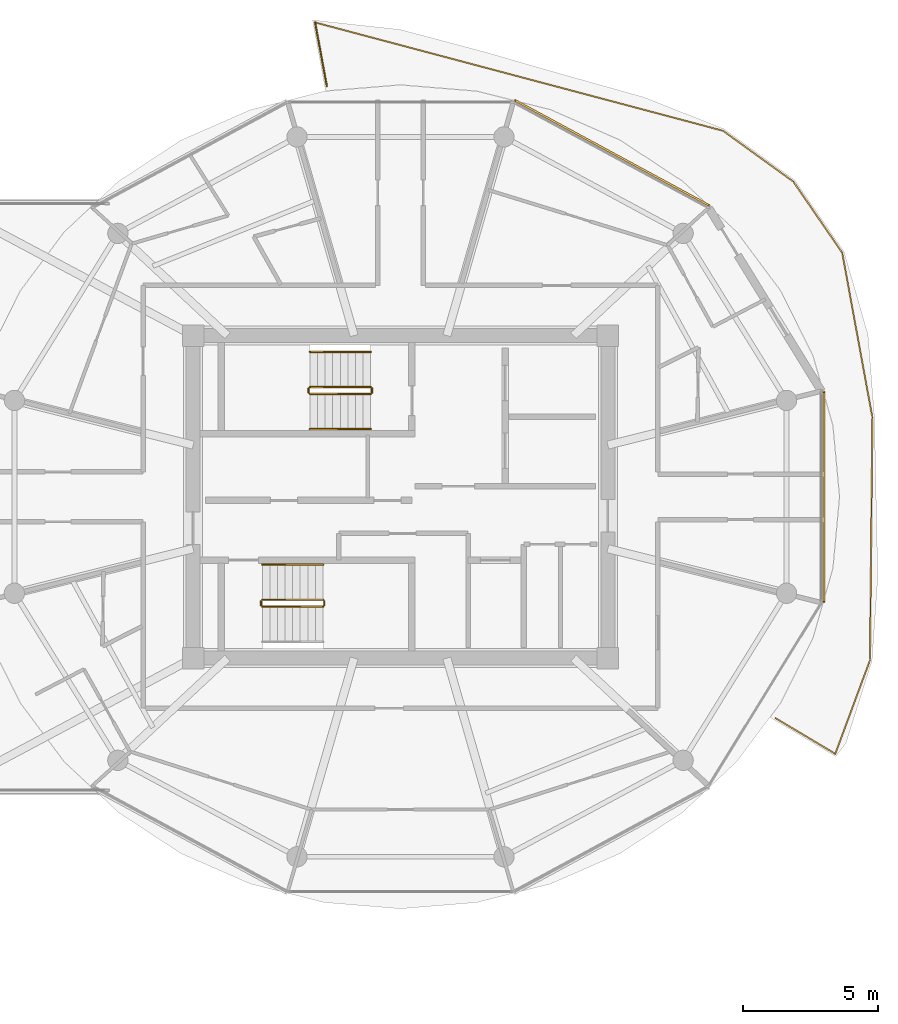
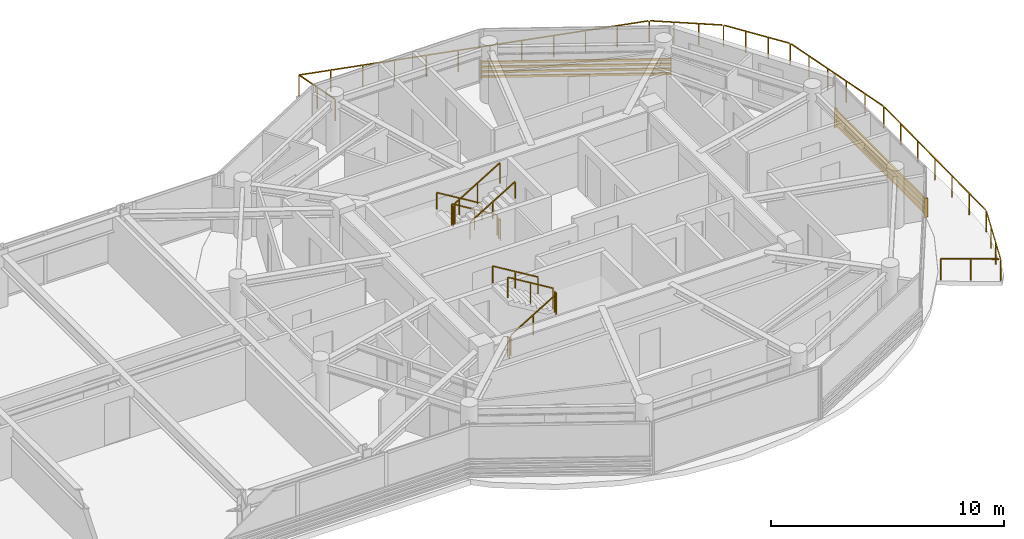
# One storey, part 24 of 24: 13 railings, 2 shading devices.
"""IFC4 building model written with IfcOpenShell, lengths in metres."""

from ifc_helpers import new_model, si_unit, direction, frame, origin, origin_2d, place, context, subcontext, project, spatial, rectangle, extrude, source, transform, mapped, material, type_object, type_shapes, element, save


model = new_model("IFC4")

# Units and contexts
model_context = context("Model", 3, precision=1e-05, world=origin(), true_north=direction((0.0, 1.0)))
body_context = subcontext(model_context, "Body", "Model", "MODEL_VIEW")
ifc_project = project(units=[si_unit("LENGTHUNIT", "METRE"), si_unit("AREAUNIT", "SQUARE_METRE"), si_unit("VOLUMEUNIT", "CUBIC_METRE"), si_unit("PLANEANGLEUNIT", "RADIAN"), si_unit("MASSUNIT", "GRAM", prefix="KILO")], contexts=[model_context])

# Site, building, storey
site_placement = place(None, origin())
site = spatial("IfcSite", under=ifc_project, at=site_placement, CompositionType="ELEMENT")
building_placement = place(site_placement, origin())
building = spatial("IfcBuilding", under=site, at=building_placement, Name="Norrkilde Senior Care Towers", CompositionType="ELEMENT")
storey_placement = place(building_placement, frame((0.0, 0.0, 223.050048828125)))
storey = spatial("IfcBuildingStorey", under=building, at=storey_placement, Name="L69", CompositionType="ELEMENT", Elevation=223.050048828125)

# Railings
ifc_material_1 = material(Name="Anodised Aluminium", Category="aluminium")
railing_type_1 = type_object("IfcRailingType", Name="Balcony Swirl Ribbon Guardrail 1150", PredefinedType="GUARDRAIL", material=ifc_material_1)
railing_1_placement = place(storey_placement, frame((24.84912109375, 17.505615234375, 0.0)))
element("IfcRailing", 1, at=railing_1_placement, inside=storey, type_object=railing_type_1, Name="L69 Perimeter Safety Guard 01", PredefinedType="GUARDRAIL", context=body_context, shape_type="SweptSolid", body=[
    extrude(rectangle(XDim=0.048095703125, YDim=0.048095703125, at=origin_2d()), frame((0.0, 0.0, 1.1259765625), z_axis=(0.966514114757, -0.256613456342, 0.0), x_axis=(0.256613456342, 0.966514114757, 0.0)), (0.0, 0.0, 1.0), 15.530517578125),
    extrude(rectangle(XDim=0.048095703125, YDim=0.048095703125, at=origin_2d()), frame((15.083251953125, -4.019775390625, 1.1259765625), z_axis=(0.810317527317, -0.585991045088, 0.0), x_axis=(0.585991045088, 0.810317527317, 0.0)), (0.0, 0.0, 1.0), 3.123291015625),
    extrude(rectangle(XDim=0.048095703125, YDim=0.048095703125, at=origin_2d()), frame((17.67041015625, -5.90771484375, 1.1259765625), z_axis=(0.566463740174, -0.82408666478, 0.0), x_axis=(0.82408666478, 0.566463740174, 0.0)), (0.0, 0.0, 1.0), 3.102294921875),
    extrude(rectangle(XDim=0.048095703125, YDim=0.048095703125, at=origin_2d()), frame((19.458251953125, -8.538330078125, 1.1259765625), z_axis=(0.180229829111, -0.98362452628, 0.0), x_axis=(0.98362452628, 0.180229829111, 0.0)), (0.0, 0.0, 1.0), 6.10205078125),
    extrude(rectangle(XDim=0.048095703125, YDim=0.048095703125, at=origin_2d()), frame((20.56494140625, -14.621337890625, 1.1259765625), z_axis=(-0.010087277801, -0.999949122119, 0.0), x_axis=(0.999949122119, -0.010087277801, 0.0)), (0.0, 0.0, 1.0), 8.873291015625),
    extrude(rectangle(XDim=0.048095703125, YDim=0.048095703125, at=origin_2d()), frame((20.4609375, -23.573486328125, 1.1259765625), z_axis=(-0.347668590554, -0.937617486581, 0.0), x_axis=(0.937617486581, -0.347668590554, 0.0)), (0.0, 0.0, 1.0), 3.599365234375),
    extrude(rectangle(XDim=0.048095703125, YDim=0.048095703125, at=origin_2d()), frame((19.16015625, -26.965576171875, 1.1259765625), z_axis=(-0.858729418014, 0.51242929916, 0.0), x_axis=(-0.51242929916, -0.858729418014, 0.0)), (0.0, 0.0, 1.0), 2.532470703125),
    extrude(rectangle(XDim=0.0419921875, YDim=0.0419921875, at=origin_2d()), origin(), (0.0, 0.0, 1.0), 1.099853515625),
    extrude(rectangle(XDim=0.0419921875, YDim=0.0419921875, at=origin_2d()), frame((1.3681640625, -0.36328125, 0.0)), (0.0, 0.0, 1.0), 1.099853515625),
    extrude(rectangle(XDim=0.0419921875, YDim=0.0419921875, at=origin_2d()), frame((2.736328125, -0.7265625, 0.0)), (0.0, 0.0, 1.0), 1.099853515625),
    extrude(rectangle(XDim=0.0419921875, YDim=0.0419921875, at=origin_2d()), frame((4.1044921875, -1.08984375, 0.0)), (0.0, 0.0, 1.0), 1.099853515625),
    extrude(rectangle(XDim=0.0419921875, YDim=0.0419921875, at=origin_2d()), frame((5.47265625, -1.453125, 0.0)), (0.0, 0.0, 1.0), 1.099853515625),
    extrude(rectangle(XDim=0.0419921875, YDim=0.0419921875, at=origin_2d()), frame((6.8408203125, -1.81640625, 0.0)), (0.0, 0.0, 1.0), 1.099853515625),
    extrude(rectangle(XDim=0.0419921875, YDim=0.0419921875, at=origin_2d()), frame((8.209228515625, -2.179443359375, 0.0)), (0.0, 0.0, 1.0), 1.099853515625),
    extrude(rectangle(XDim=0.0419921875, YDim=0.0419921875, at=origin_2d()), frame((9.577392578125, -2.542724609375, 0.0)), (0.0, 0.0, 1.0), 1.099853515625),
    extrude(rectangle(XDim=0.0419921875, YDim=0.0419921875, at=origin_2d()), frame((10.945556640625, -2.906005859375, 0.0)), (0.0, 0.0, 1.0), 1.099853515625),
    extrude(rectangle(XDim=0.0419921875, YDim=0.0419921875, at=origin_2d()), frame((12.313720703125, -3.269287109375, 0.0)), (0.0, 0.0, 1.0), 1.099853515625),
    extrude(rectangle(XDim=0.0419921875, YDim=0.0419921875, at=origin_2d()), frame((13.681884765625, -3.632568359375, 0.0)), (0.0, 0.0, 1.0), 1.099853515625),
    extrude(rectangle(XDim=0.0419921875, YDim=0.0419921875, at=origin_2d()), frame((15.050048828125, -3.995849609375, 0.0)), (0.0, 0.0, 1.0), 1.099853515625),
    extrude(rectangle(XDim=0.0419921875, YDim=0.0419921875, at=origin_2d()), frame((15.915771484375, -4.621826171875, 0.0)), (0.0, 0.0, 1.0), 1.099853515625),
    extrude(rectangle(XDim=0.0419921875, YDim=0.0419921875, at=origin_2d()), frame((16.781494140625, -5.248046875, 0.0)), (0.0, 0.0, 1.0), 1.099853515625),
    extrude(rectangle(XDim=0.0419921875, YDim=0.0419921875, at=origin_2d()), frame((17.647216796875, -5.8740234375, 0.0)), (0.0, 0.0, 1.0), 1.099853515625),
    extrude(rectangle(XDim=0.0419921875, YDim=0.0419921875, at=origin_2d()), frame((18.24853515625, -6.748779296875, 0.0)), (0.0, 0.0, 1.0), 1.099853515625),
    extrude(rectangle(XDim=0.0419921875, YDim=0.0419921875, at=origin_2d()), frame((18.849609375, -7.623291015625, 0.0)), (0.0, 0.0, 1.0), 1.099853515625),
    extrude(rectangle(XDim=0.0419921875, YDim=0.0419921875, at=origin_2d()), frame((19.450927734375, -8.498046875, 0.0)), (0.0, 0.0, 1.0), 1.099853515625),
    extrude(rectangle(XDim=0.0419921875, YDim=0.0419921875, at=origin_2d()), frame((19.673828125, -9.714599609375, 0.0)), (0.0, 0.0, 1.0), 1.099853515625),
    extrude(rectangle(XDim=0.0419921875, YDim=0.0419921875, at=origin_2d()), frame((19.896728515625, -10.93115234375, 0.0)), (0.0, 0.0, 1.0), 1.099853515625),
    extrude(rectangle(XDim=0.0419921875, YDim=0.0419921875, at=origin_2d()), frame((20.11962890625, -12.1474609375, 0.0)), (0.0, 0.0, 1.0), 1.099853515625),
    extrude(rectangle(XDim=0.0419921875, YDim=0.0419921875, at=origin_2d()), frame((20.342529296875, -13.364013671875, 0.0)), (0.0, 0.0, 1.0), 1.099853515625),
    extrude(rectangle(XDim=0.0419921875, YDim=0.0419921875, at=origin_2d()), frame((20.5654296875, -14.58056640625, 0.0)), (0.0, 0.0, 1.0), 1.099853515625),
    extrude(rectangle(XDim=0.0419921875, YDim=0.0419921875, at=origin_2d()), frame((20.55029296875, -16.072998046875, 0.0)), (0.0, 0.0, 1.0), 1.099853515625),
    extrude(rectangle(XDim=0.0419921875, YDim=0.0419921875, at=origin_2d()), frame((20.535400390625, -17.5654296875, 0.0)), (0.0, 0.0, 1.0), 1.099853515625),
    extrude(rectangle(XDim=0.0419921875, YDim=0.0419921875, at=origin_2d()), frame((20.520263671875, -19.057861328125, 0.0)), (0.0, 0.0, 1.0), 1.099853515625),
    extrude(rectangle(XDim=0.0419921875, YDim=0.0419921875, at=origin_2d()), frame((20.505126953125, -20.55029296875, 0.0)), (0.0, 0.0, 1.0), 1.099853515625),
    extrude(rectangle(XDim=0.0419921875, YDim=0.0419921875, at=origin_2d()), frame((20.490234375, -22.042724609375, 0.0)), (0.0, 0.0, 1.0), 1.099853515625),
    extrude(rectangle(XDim=0.0419921875, YDim=0.0419921875, at=origin_2d()), frame((20.47509765625, -23.53515625, 0.0)), (0.0, 0.0, 1.0), 1.099853515625),
    extrude(rectangle(XDim=0.0419921875, YDim=0.0419921875, at=origin_2d()), frame((20.048583984375, -24.685546875, 0.0)), (0.0, 0.0, 1.0), 1.099853515625),
    extrude(rectangle(XDim=0.0419921875, YDim=0.0419921875, at=origin_2d()), frame((19.621826171875, -25.836181640625, 0.0)), (0.0, 0.0, 1.0), 1.099853515625),
    extrude(rectangle(XDim=0.0419921875, YDim=0.0419921875, at=origin_2d()), frame((19.1953125, -26.986572265625, 0.0)), (0.0, 0.0, 1.0), 1.099853515625),
    extrude(rectangle(XDim=0.0419921875, YDim=0.0419921875, at=origin_2d()), frame((18.09033203125, -26.3271484375, 0.0)), (0.0, 0.0, 1.0), 1.099853515625),
    extrude(rectangle(XDim=0.0419921875, YDim=0.0419921875, at=origin_2d()), frame((16.985595703125, -25.66796875, 0.0)), (0.0, 0.0, 1.0), 1.099853515625),
])
railing_2_placement = place(storey_placement, frame((25.28271484375, 15.157470703125, 0.0)))
element("IfcRailing", 2, at=railing_2_placement, inside=storey, type_object=railing_type_1, Name="L69 Perimeter Safety Guard 02", PredefinedType="GUARDRAIL", context=body_context, shape_type="SweptSolid", body=[
    extrude(rectangle(XDim=0.048095703125, YDim=0.048095703125, at=origin_2d()), frame((0.0, 0.0, 1.1259765625), z_axis=(-0.181583986414, 0.98337543994, 0.0), x_axis=(-0.98337543994, -0.181583986414, 0.0)), (0.0, 0.0, 1.0), 2.387939453125),
    extrude(rectangle(XDim=0.0419921875, YDim=0.0419921875, at=origin_2d()), origin(), (0.0, 0.0, 1.0), 1.099853515625),
    extrude(rectangle(XDim=0.0419921875, YDim=0.0419921875, at=origin_2d()), frame((-0.216796875, 1.174072265625, 0.0)), (0.0, 0.0, 1.0), 1.099853515625),
    extrude(rectangle(XDim=0.0419921875, YDim=0.0419921875, at=origin_2d()), frame((-0.43359375, 2.34814453125, 0.0)), (0.0, 0.0, 1.0), 1.099853515625),
])
ifc_material_2 = material(Name="Stainless Steel", Category="steel")
railing_type_2 = type_object("IfcRailingType", Name="Stair and Terrace Guardrail 1100", PredefinedType="GUARDRAIL", material=ifc_material_2)
railing_3_placement = place(storey_placement, frame((26.89990234375, 4.050048828125, 0.16943359375)))
element("IfcRailing", 3, at=railing_3_placement, inside=storey, type_object=railing_type_2, Name="L69 ST-E1 stair guard 1", PredefinedType="GUARDRAIL", context=body_context, shape_type="SweptSolid", body=[
    extrude(rectangle(XDim=0.048095703125, YDim=0.048095703125, at=origin_2d()), frame((0.0, 0.0, 1.076171875), z_axis=(-0.855553338991, 0.0, 0.51771467445), x_axis=(0.0, -1.0, 0.0)), (0.0, 0.0, 1.0), 2.6181640625),
    extrude(rectangle(XDim=0.0419921875, YDim=0.0419921875, at=origin_2d()), origin(), (0.0, 0.0, 1.0), 1.050048828125),
    extrude(rectangle(XDim=0.0419921875, YDim=0.0419921875, at=origin_2d()), frame((-1.1201171875, 0.0, 0.677734375)), (0.0, 0.0, 1.0), 1.050048828125),
    extrude(rectangle(XDim=0.0419921875, YDim=0.0419921875, at=origin_2d()), frame((-2.239990234375, 0.0, 1.35546875)), (0.0, 0.0, 1.0), 1.050048828125),
])
railing_4_placement = place(storey_placement, frame((24.610107421875, 4.0, 1.52490234375)))
element("IfcRailing", 4, at=railing_4_placement, inside=storey, type_object=railing_type_2, Name="L69 ST-E1 stair guard 2", PredefinedType="GUARDRAIL", context=body_context, shape_type="SweptSolid", body=[
    extrude(rectangle(XDim=0.048095703125, YDim=0.048095703125, at=origin_2d()), frame((0.0, 0.0, 1.076171875), z_axis=(0.0, -1.0, 0.0), x_axis=(1.0, 0.0, 0.0)), (0.0, 0.0, 1.0), 0.14990234375),
    extrude(rectangle(XDim=0.0419921875, YDim=0.0419921875, at=origin_2d()), origin(), (0.0, 0.0, 1.0), 1.050048828125),
    extrude(rectangle(XDim=0.0419921875, YDim=0.0419921875, at=origin_2d()), frame((0.0, -0.14990234375, 0.0)), (0.0, 0.0, 1.0), 1.050048828125),
])
railing_5_placement = place(storey_placement, frame((24.659912109375, 3.800048828125, 1.6943359375)))
element("IfcRailing", 5, at=railing_5_placement, inside=storey, type_object=railing_type_2, Name="L69 ST-E1 stair guard 3", PredefinedType="GUARDRAIL", context=body_context, shape_type="SweptSolid", body=[
    extrude(rectangle(XDim=0.048095703125, YDim=0.048095703125, at=origin_2d()), frame((0.0, 0.0, 1.076171875), z_axis=(0.855512035549, 0.0, 0.517782924622), x_axis=(0.0, 1.0, 0.0)), (0.0, 0.0, 1.0), 2.618408203125),
    extrude(rectangle(XDim=0.0419921875, YDim=0.0419921875, at=origin_2d()), origin(), (0.0, 0.0, 1.0), 1.050048828125),
    extrude(rectangle(XDim=0.0419921875, YDim=0.0419921875, at=origin_2d()), frame((1.1201171875, 0.0, 0.677734375)), (0.0, 0.0, 1.0), 1.050048828125),
    extrude(rectangle(XDim=0.0419921875, YDim=0.0419921875, at=origin_2d()), frame((2.239990234375, 0.0, 1.355712890625)), (0.0, 0.0, 1.0), 1.050048828125),
])
railing_6_placement = place(storey_placement, frame((26.949951171875, 4.0, 0.0)))
element("IfcRailing", 6, at=railing_6_placement, inside=storey, type_object=railing_type_2, Name="L69 ST-E1 stair guard 4", PredefinedType="GUARDRAIL", context=body_context, shape_type="SweptSolid", body=[
    extrude(rectangle(XDim=0.048095703125, YDim=0.048095703125, at=origin_2d()), frame((0.0, 0.0, 1.076171875), z_axis=(0.0, -1.0, 0.0), x_axis=(1.0, 0.0, 0.0)), (0.0, 0.0, 1.0), 0.14990234375),
    extrude(rectangle(XDim=0.0419921875, YDim=0.0419921875, at=origin_2d()), origin(), (0.0, 0.0, 1.0), 1.050048828125),
    extrude(rectangle(XDim=0.0419921875, YDim=0.0419921875, at=origin_2d()), frame((0.0, -0.14990234375, 0.0)), (0.0, 0.0, 1.0), 1.050048828125),
])
railing_7_placement = place(storey_placement, frame((22.89990234375, -4.050048828125, 0.16943359375)))
element("IfcRailing", 7, at=railing_7_placement, inside=storey, type_object=railing_type_2, Name="L69 ST-E2 stair guard 1", PredefinedType="GUARDRAIL", context=body_context, shape_type="SweptSolid", body=[
    extrude(rectangle(XDim=0.048095703125, YDim=0.048095703125, at=origin_2d()), frame((0.0, 0.0, 1.076171875), z_axis=(0.855553338991, 0.0, 0.51771467445), x_axis=(0.0, 1.0, 0.0)), (0.0, 0.0, 1.0), 2.6181640625),
    extrude(rectangle(XDim=0.0419921875, YDim=0.0419921875, at=origin_2d()), origin(), (0.0, 0.0, 1.0), 1.050048828125),
    extrude(rectangle(XDim=0.0419921875, YDim=0.0419921875, at=origin_2d()), frame((1.1201171875, 0.0, 0.677734375)), (0.0, 0.0, 1.0), 1.050048828125),
    extrude(rectangle(XDim=0.0419921875, YDim=0.0419921875, at=origin_2d()), frame((2.239990234375, 0.0, 1.35546875)), (0.0, 0.0, 1.0), 1.050048828125),
])
railing_8_placement = place(storey_placement, frame((25.18994140625, -4.0, 1.52490234375)))
element("IfcRailing", 8, at=railing_8_placement, inside=storey, type_object=railing_type_2, Name="L69 ST-E2 stair guard 2", PredefinedType="GUARDRAIL", context=body_context, shape_type="SweptSolid", body=[
    extrude(rectangle(XDim=0.048095703125, YDim=0.048095703125, at=origin_2d()), frame((0.0, 0.0, 1.076171875), z_axis=(0.0, 1.0, 0.0), x_axis=(-1.0, 0.0, 0.0)), (0.0, 0.0, 1.0), 0.14990234375),
    extrude(rectangle(XDim=0.0419921875, YDim=0.0419921875, at=origin_2d()), origin(), (0.0, 0.0, 1.0), 1.050048828125),
    extrude(rectangle(XDim=0.0419921875, YDim=0.0419921875, at=origin_2d()), frame((0.0, 0.14990234375, 0.0)), (0.0, 0.0, 1.0), 1.050048828125),
])
railing_9_placement = place(storey_placement, frame((25.139892578125, -3.800048828125, 1.6943359375)))
element("IfcRailing", 9, at=railing_9_placement, inside=storey, type_object=railing_type_2, Name="L69 ST-E2 stair guard 3", PredefinedType="GUARDRAIL", context=body_context, shape_type="SweptSolid", body=[
    extrude(rectangle(XDim=0.048095703125, YDim=0.048095703125, at=origin_2d()), frame((0.0, 0.0, 1.076171875), z_axis=(-0.855512035549, 0.0, 0.517782924622), x_axis=(0.0, -1.0, 0.0)), (0.0, 0.0, 1.0), 2.618408203125),
    extrude(rectangle(XDim=0.0419921875, YDim=0.0419921875, at=origin_2d()), origin(), (0.0, 0.0, 1.0), 1.050048828125),
    extrude(rectangle(XDim=0.0419921875, YDim=0.0419921875, at=origin_2d()), frame((-1.1201171875, 0.0, 0.677734375)), (0.0, 0.0, 1.0), 1.050048828125),
    extrude(rectangle(XDim=0.0419921875, YDim=0.0419921875, at=origin_2d()), frame((-2.239990234375, 0.0, 1.355712890625)), (0.0, 0.0, 1.0), 1.050048828125),
])
railing_10_placement = place(storey_placement, frame((22.85009765625, -4.0, 0.0)))
element("IfcRailing", 10, at=railing_10_placement, inside=storey, type_object=railing_type_2, Name="L69 ST-E2 stair guard 4", PredefinedType="GUARDRAIL", context=body_context, shape_type="SweptSolid", body=[
    extrude(rectangle(XDim=0.048095703125, YDim=0.048095703125, at=origin_2d()), frame((0.0, 0.0, 1.076171875), z_axis=(0.0, 1.0, 0.0), x_axis=(-1.0, 0.0, 0.0)), (0.0, 0.0, 1.0), 0.14990234375),
    extrude(rectangle(XDim=0.0419921875, YDim=0.0419921875, at=origin_2d()), origin(), (0.0, 0.0, 1.0), 1.050048828125),
    extrude(rectangle(XDim=0.0419921875, YDim=0.0419921875, at=origin_2d()), frame((0.0, 0.14990234375, 0.0)), (0.0, 0.0, 1.0), 1.050048828125),
])
ifc_material_3 = material(Name="Nordic Ash Timber", Category="wood")
railing_type_3 = type_object("IfcRailingType", Name="Wall and Stair Handrail 900", PredefinedType="HANDRAIL", material=ifc_material_3)
railing_11_placement = place(storey_placement, frame((26.89990234375, 5.35009765625, 0.16943359375)))
element("IfcRailing", 11, at=railing_11_placement, inside=storey, type_object=railing_type_3, Name="L69 ST-E1 stair handrail 1", PredefinedType="HANDRAIL", context=body_context, shape_type="SweptSolid", body=[
    extrude(rectangle(XDim=0.048095703125, YDim=0.048095703125, at=origin_2d()), frame((0.0, 0.0, 0.8759765625), z_axis=(-0.855553338991, 0.0, 0.51771467445), x_axis=(0.0, -1.0, 0.0)), (0.0, 0.0, 1.0), 2.6181640625),
    extrude(rectangle(XDim=0.0419921875, YDim=0.0419921875, at=origin_2d()), origin(), (0.0, 0.0, 1.0), 0.849853515625),
    extrude(rectangle(XDim=0.0419921875, YDim=0.0419921875, at=origin_2d()), frame((-1.1201171875, 0.0, 0.677734375)), (0.0, 0.0, 1.0), 0.849853515625),
    extrude(rectangle(XDim=0.0419921875, YDim=0.0419921875, at=origin_2d()), frame((-2.239990234375, 0.0, 1.35546875)), (0.0, 0.0, 1.0), 0.849853515625),
])
railing_12_placement = place(storey_placement, frame((24.659912109375, 2.5, 1.6943359375)))
element("IfcRailing", 12, at=railing_12_placement, inside=storey, type_object=railing_type_3, Name="L69 ST-E1 stair handrail 2", PredefinedType="HANDRAIL", context=body_context, shape_type="SweptSolid", body=[
    extrude(rectangle(XDim=0.048095703125, YDim=0.048095703125, at=origin_2d()), frame((0.0, 0.0, 0.8759765625), z_axis=(0.855512035549, 0.0, 0.517782924622), x_axis=(0.0, 1.0, 0.0)), (0.0, 0.0, 1.0), 2.618408203125),
    extrude(rectangle(XDim=0.0419921875, YDim=0.0419921875, at=origin_2d()), origin(), (0.0, 0.0, 1.0), 0.849853515625),
    extrude(rectangle(XDim=0.0419921875, YDim=0.0419921875, at=origin_2d()), frame((1.1201171875, 0.0, 0.677734375)), (0.0, 0.0, 1.0), 0.849853515625),
    extrude(rectangle(XDim=0.0419921875, YDim=0.0419921875, at=origin_2d()), frame((2.239990234375, 0.0, 1.355712890625)), (0.0, 0.0, 1.0), 0.849853515625),
])
railing_13_placement = place(storey_placement, frame((25.139892578125, -2.5, 1.6943359375)))
element("IfcRailing", 13, at=railing_13_placement, inside=storey, type_object=railing_type_3, Name="L69 ST-E2 stair handrail 2", PredefinedType="HANDRAIL", context=body_context, shape_type="SweptSolid", body=[
    extrude(rectangle(XDim=0.048095703125, YDim=0.048095703125, at=origin_2d()), frame((0.0, 0.0, 0.8759765625), z_axis=(-0.855512035549, 0.0, 0.517782924622), x_axis=(0.0, -1.0, 0.0)), (0.0, 0.0, 1.0), 2.618408203125),
    extrude(rectangle(XDim=0.0419921875, YDim=0.0419921875, at=origin_2d()), origin(), (0.0, 0.0, 1.0), 0.849853515625),
    extrude(rectangle(XDim=0.0419921875, YDim=0.0419921875, at=origin_2d()), frame((-1.1201171875, 0.0, 0.677734375)), (0.0, 0.0, 1.0), 0.849853515625),
    extrude(rectangle(XDim=0.0419921875, YDim=0.0419921875, at=origin_2d()), frame((-2.239990234375, 0.0, 1.355712890625)), (0.0, 0.0, 1.0), 0.849853515625),
])

# Shading devices
ifc_material_4 = material(Name="Architectural Terracotta", Category="masonry")
shading_device_type = type_object("IfcShadingDeviceType", Name="Horizontal Terracotta Baguette Rack", PredefinedType="USERDEFINED", material=ifc_material_4)
shared_shape_1 = source(origin(), body_context, "Body", "SweptSolid", [
    extrude(rectangle(XDim=0.070068359375, YDim=0.110107421875, at=origin_2d()), frame((0.0, 0.090087890625, 0.125), z_axis=(1.0, 0.0, 0.0), x_axis=(0.0, 1.0, 0.0)), (0.0, 0.0, 1.0), 8.197265625),
    extrude(rectangle(XDim=0.070068359375, YDim=0.110107421875, at=origin_2d()), frame((0.0, 0.090087890625, 0.375), z_axis=(1.0, 0.0, 0.0), x_axis=(0.0, 1.0, 0.0)), (0.0, 0.0, 1.0), 8.197265625),
    extrude(rectangle(XDim=0.070068359375, YDim=0.110107421875, at=origin_2d()), frame((0.0, 0.090087890625, 0.625), z_axis=(1.0, 0.0, 0.0), x_axis=(0.0, 1.0, 0.0)), (0.0, 0.0, 1.0), 8.197265625),
    extrude(rectangle(XDim=0.070068359375, YDim=0.110107421875, at=origin_2d()), frame((0.0, 0.090087890625, 0.875), z_axis=(1.0, 0.0, 0.0), x_axis=(0.0, 1.0, 0.0)), (0.0, 0.0, 1.0), 8.197265625),
    extrude(rectangle(XDim=0.050048828125, YDim=0.1552734375, at=origin_2d()), frame((0.02490234375, 0.047607421875, 0.0)), (0.0, 0.0, 1.0), 1.0),
    extrude(rectangle(XDim=0.050048828125, YDim=0.1552734375, at=origin_2d()), frame((8.17236328125, 0.047607421875, 0.0)), (0.0, 0.0, 1.0), 1.0),
])
shading_device_1_placement = place(storey_placement, frame((32.161865234375, 14.566162109375, 0.079833984375), z_axis=(0.0, 0.0, 1.0), x_axis=(0.879378127234, -0.476143674053, 0.0)))
element("IfcShadingDevice", 14, at=shading_device_1_placement, inside=storey, type_object=shading_device_type, Name="L69 Drum E Terracotta Baguette Screen 01", ObjectType="BAGUETTE", PredefinedType="USERDEFINED", context=body_context, shape_type="MappedRepresentation", body=[
    mapped(shared_shape_1, transform((0.0, 0.0, 0.0), x_axis=(1.0, 0.0, 0.0), y_axis=(0.0, 1.0, 0.0), z_axis=(0.0, 0.0, 1.0), scale=1.0)),
])
shared_shape_2 = source(origin(), body_context, "Body", "SweptSolid", [
    extrude(rectangle(XDim=0.070068359375, YDim=0.110107421875, at=origin_2d()), frame((0.0, 0.090087890625, 0.125), z_axis=(1.0, 0.0, 0.0), x_axis=(0.0, 1.0, 0.0)), (0.0, 0.0, 1.0), 7.80615234375),
    extrude(rectangle(XDim=0.070068359375, YDim=0.110107421875, at=origin_2d()), frame((0.0, 0.090087890625, 0.375), z_axis=(1.0, 0.0, 0.0), x_axis=(0.0, 1.0, 0.0)), (0.0, 0.0, 1.0), 7.80615234375),
    extrude(rectangle(XDim=0.070068359375, YDim=0.110107421875, at=origin_2d()), frame((0.0, 0.090087890625, 0.625), z_axis=(1.0, 0.0, 0.0), x_axis=(0.0, 1.0, 0.0)), (0.0, 0.0, 1.0), 7.80615234375),
    extrude(rectangle(XDim=0.070068359375, YDim=0.110107421875, at=origin_2d()), frame((0.0, 0.090087890625, 0.875), z_axis=(1.0, 0.0, 0.0), x_axis=(0.0, 1.0, 0.0)), (0.0, 0.0, 1.0), 7.80615234375),
    extrude(rectangle(XDim=0.050048828125, YDim=0.1552734375, at=origin_2d()), frame((0.02490234375, 0.047607421875, 0.0)), (0.0, 0.0, 1.0), 1.0),
    extrude(rectangle(XDim=0.050048828125, YDim=0.1552734375, at=origin_2d()), frame((7.78125, 0.047607421875, 0.0)), (0.0, 0.0, 1.0), 1.0),
])
type_shapes(shading_device_type, [shared_shape_1, shared_shape_2])
shading_device_2_placement = place(storey_placement, frame((43.531982421875, 3.903076171875, 0.079833984375), z_axis=(0.0, 0.0, 1.0), x_axis=(0.0, -1.0, 0.0)))
element("IfcShadingDevice", 15, at=shading_device_2_placement, inside=storey, type_object=shading_device_type, Name="L69 Drum E Terracotta Baguette Screen 11", ObjectType="BAGUETTE", PredefinedType="USERDEFINED", context=body_context, shape_type="MappedRepresentation", body=[
    mapped(shared_shape_2, transform((0.0, 0.0, 0.0), x_axis=(1.0, 0.0, 0.0), y_axis=(0.0, 1.0, 0.0), z_axis=(0.0, 0.0, 1.0), scale=1.0)),
])

save(model, "model.ifc")
